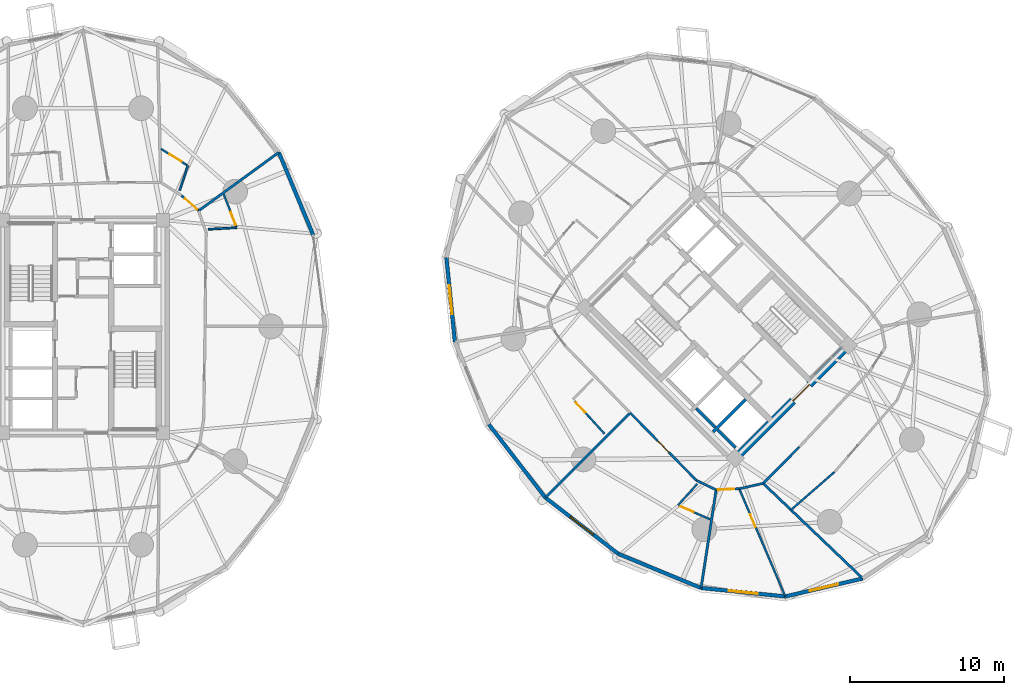
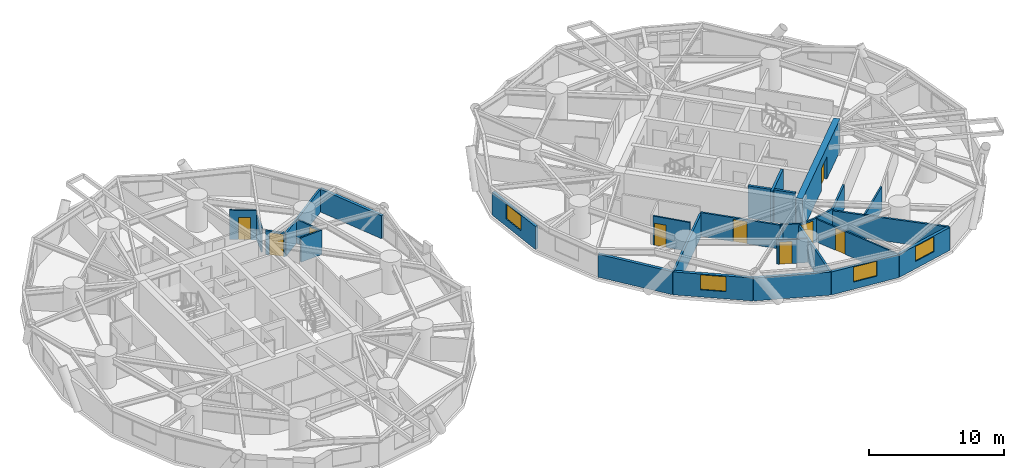
# One storey, part 12 of 18: 30 walls, 9 doors, 4 windows, 13 openings.
"""IFC4 building model written with IfcOpenShell, lengths in metres."""

from ifc_helpers import new_model, si_unit, direction, frame, frame_2d, origin, place, context, subcontext, project, spatial, rectangle, extrude, source, transform, mapped, material, layer, layer_set, type_object, element, fill, save


model = new_model("IFC4")

# Units and contexts
model_context = context("Model", 3, precision=1e-05, world=origin(), true_north=direction((0.0, 1.0)))
body_context = subcontext(model_context, "Body", "Model", "MODEL_VIEW")
ifc_project = project(units=[si_unit("LENGTHUNIT", "METRE"), si_unit("AREAUNIT", "SQUARE_METRE"), si_unit("VOLUMEUNIT", "CUBIC_METRE"), si_unit("PLANEANGLEUNIT", "RADIAN"), si_unit("MASSUNIT", "GRAM", prefix="KILO")], contexts=[model_context])

# Site, building, storey
site_placement = place(None, origin())
site = spatial("IfcSite", under=ifc_project, at=site_placement, CompositionType="ELEMENT")
building_placement = place(site_placement, origin())
building = spatial("IfcBuilding", under=site, at=building_placement, Name="Cununo Teusaquillo Station Towers", CompositionType="ELEMENT")
storey_placement = place(building_placement, frame((0.0, 0.0, 54.010009765625)))
storey = spatial("IfcBuildingStorey", under=building, at=storey_placement, Name="L16", CompositionType="ELEMENT", Elevation=54.010009765625)

# Walls
ifc_material_1 = material(Name="Concrete C50/60", Category="concrete")
ifc_layer_1 = layer(ifc_material_1, 0.199951171875)
ifc_layer_set_1 = layer_set([ifc_layer_1], Name="Concrete C50/60")
wall_type_1 = type_object("IfcWallType", Name="WL-CORE-200", PredefinedType="SHEAR", material=ifc_layer_set_1)
wall_1_placement = place(storey_placement, frame((57.2841796875, 17.6728515625, 0.0), z_axis=(0.0, 0.0, 1.0), x_axis=(0.707147878904, 0.70706568108, 0.0)))
element("IfcWall", 1, at=wall_1_placement, inside=storey, type_object=wall_type_1, Name="L16 Tower B High-Rise Lift Hoistway Divider Shear Wall", PredefinedType="SHEAR", context=body_context, shape_type="SweptSolid", body=[
    extrude(rectangle(XDim=2.97021484375, YDim=0.199951171875, at=frame_2d((1.485107421875, 0.0))), origin(), (0.0, 0.0, 1.0), 2.909912109375),
])
wall_2_placement = place(storey_placement, frame((57.41162109375, 17.969970703125, 0.0), z_axis=(0.0, 0.0, 1.0), x_axis=(-0.707106781187, 0.707106781187, 0.0)))
element("IfcWall", 2, at=wall_2_placement, inside=storey, type_object=wall_type_1, Name="L16 Tower B High-Rise Lift 2 Shaft Rear Shear Wall", PredefinedType="SHEAR", context=body_context, shape_type="SweptSolid", body=[
    extrude(rectangle(XDim=1.73486328125, YDim=0.199951171875, at=frame_2d((0.867431640625, 0.0))), origin(), (0.0, 0.0, 1.0), 2.909912109375),
])
wall_3_placement = place(storey_placement, frame((58.7373046875, 16.64404296875, 0.0), z_axis=(0.0, 0.0, 1.0), x_axis=(-0.707032117043, 0.707181437447, 0.0)))
element("IfcWall", 3, at=wall_3_placement, inside=storey, type_object=wall_type_1, Name="L16 Tower B High-Rise Lift 1 Shaft Rear Shear Wall", PredefinedType="SHEAR", context=body_context, shape_type="SweptSolid", body=[
    extrude(rectangle(XDim=1.635009765625, YDim=0.199951171875, at=frame_2d((0.8173828125, 0.0))), origin(), (0.0, 0.0, 1.0), 2.909912109375),
])

# Wall, opening, door
ifc_material_2 = material(Name="Concrete C60/75", Category="concrete")
ifc_layer_2 = layer(ifc_material_2, 0.5)
ifc_layer_set_2 = layer_set([ifc_layer_2], Name="Concrete C60/75")
wall_type_2 = type_object("IfcWallType", Name="WL-CORE-500", PredefinedType="SHEAR", material=ifc_layer_set_2)
wall_4_placement = place(storey_placement, frame((58.595947265625, 15.837890625, 0.0), z_axis=(0.0, 0.0, 1.0), x_axis=(0.707106781187, 0.707106781187, 0.0)))
wall_4 = element("IfcWall", 4, at=wall_4_placement, inside=storey, type_object=wall_type_2, Name="L16 Tower B Core Shear Wall S", PredefinedType="SHEAR", context=body_context, shape_type="SweptSolid", body=[
    extrude(rectangle(XDim=10.7001953125, YDim=0.5, at=frame_2d((5.35009765625, 0.0))), origin(), (0.0, 0.0, 1.0), 2.909912109375),
])
shared_shape_1 = source(origin(), body_context, "Body", "SweptSolid", [
    extrude(rectangle(XDim=1.5, YDim=2.02001953125, at=frame_2d((0.75, 1.010009765625))), frame((0.0, 0.260009765625, 0.0), z_axis=(0.0, -1.0, 0.0), x_axis=(1.0, 0.0, 0.0)), (0.0, 0.0, 1.0), 0.52001953125),
])
opening_1_placement = place(wall_4_placement, frame((5.449951171875, 0.0, 0.0)))
opening_1 = element("IfcOpeningElement", 5, at=opening_1_placement, cuts=wall_4, Name="Opening D-LB1", PredefinedType="OPENING", context=body_context, shape_type="MappedRepresentation", body=[
    mapped(shared_shape_1, transform((0.0, 0.0, 0.0), x_axis=(1.0, 0.0, 0.0), y_axis=(0.0, 1.0, 0.0), z_axis=(0.0, 0.0, 1.0), scale=1.0)),
])
ifc_material_3 = material(Name="Galvanised fire-rated hollow steel door assembly", Category="steel")
door_type_1 = type_object("IfcDoorType", Name="DR-LOBBY-1500", OperationType="DOUBLE_DOOR_SINGLE_SWING", PredefinedType="DOOR", material=ifc_material_3)
shared_shape_2 = source(origin(), body_context, "Body", "SweptSolid", [
    extrude(rectangle(XDim=1.5, YDim=2.02001953125, at=frame_2d((0.75, 1.010009765625))), frame((0.0, 0.02490234375, 0.0), z_axis=(0.0, -1.0, 0.0), x_axis=(1.0, 0.0, 0.0)), (0.0, 0.0, 1.0), 0.050048828125),
])
door_1_placement = place(opening_1_placement, origin())
door_1 = element("IfcDoor", 6, at=door_1_placement, inside=storey, type_object=door_type_1, Name="L16 Tower B South Core Lift Lobby Door", OperationType="DOUBLE_DOOR_SINGLE_SWING", OverallHeight=2.02001953125, OverallWidth=1.5, PredefinedType="DOOR", context=body_context, shape_type="MappedRepresentation", body=[
    mapped(shared_shape_2, transform((0.0, 0.0, 0.0), x_axis=(1.0, 0.0, 0.0), y_axis=(0.0, 1.0, 0.0), z_axis=(0.0, 0.0, 1.0), scale=1.0)),
])
fill(opening_1, door_1)

# Wall
ifc_material_4 = material(Name="Precast concrete C40/50", Category="concrete")
ifc_layer_3 = layer(ifc_material_4, 0.239990234375)
ifc_layer_set_3 = layer_set([ifc_layer_3], Name="Precast concrete C40/50")
wall_type_3 = type_object("IfcWallType", Name="WL-EXT-240", PredefinedType="SOLIDWALL", material=ifc_layer_set_3)
wall_5_placement = place(storey_placement, frame((29.171630859375, 35.767822265625, 0.0), z_axis=(0.0, 0.0, 1.0), x_axis=(0.384348836956, -0.923187939442, 0.0)))
element("IfcWall", 7, at=wall_5_placement, inside=storey, type_object=wall_type_3, Name="L16 Tower A Exterior Facade Wall C01", PredefinedType="SOLIDWALL", context=body_context, shape_type="SweptSolid", body=[
    extrude(rectangle(XDim=5.78857421875, YDim=0.239990234375, at=frame_2d((2.894287109375, 0.0))), origin(), (0.0, 0.0, 1.0), 2.072998046875),
])

# Wall, opening, window
wall_6_placement = place(storey_placement, frame((40.572265625, 23.50732421875, 0.0), z_axis=(0.0, 0.0, 1.0), x_axis=(-0.100165739718, 0.994970765694, 0.0)))
wall_6 = element("IfcWall", 8, at=wall_6_placement, inside=storey, type_object=wall_type_3, Name="L16 Tower B Exterior Facade Wall C07", PredefinedType="SOLIDWALL", context=body_context, shape_type="SweptSolid", body=[
    extrude(rectangle(XDim=5.476806640625, YDim=0.239990234375, at=frame_2d((2.73828125, 0.0))), origin(), (0.0, 0.0, 1.0), 2.072998046875),
])
shared_shape_3 = source(origin(), body_context, "Body", "SweptSolid", [
    extrude(rectangle(XDim=1.89990234375, YDim=1.35009765625, at=frame_2d((0.949951171875, 0.675048828125))), frame((0.0, 0.1298828125, 0.0), z_axis=(0.0, -1.0, 0.0), x_axis=(1.0, 0.0, 0.0)), (0.0, 0.0, 1.0), 0.260009765625),
])
opening_2_placement = place(wall_6_placement, frame((1.7880859375, 0.0, 0.64990234375)))
opening_2 = element("IfcOpeningElement", 9, at=opening_2_placement, cuts=wall_6, Name="Opening WN-02", PredefinedType="OPENING", context=body_context, shape_type="MappedRepresentation", body=[
    mapped(shared_shape_3, transform((0.0, 0.0, 0.0), x_axis=(1.0, 0.0, 0.0), y_axis=(0.0, 1.0, 0.0), z_axis=(0.0, 0.0, 1.0), scale=1.0)),
])
ifc_material_5 = material(Name="Operable acoustic tinted low-E double glazing", Category="glass")
window_type = type_object("IfcWindowType", Name="WIN-OPER-1900", PartitioningType="DOUBLE_PANEL_VERTICAL", PredefinedType="WINDOW", material=ifc_material_5)
shared_shape_4 = source(origin(), body_context, "Body", "SweptSolid", [
    extrude(rectangle(XDim=1.89990234375, YDim=1.35009765625, at=frame_2d((0.949951171875, 0.675048828125))), frame((0.0, 0.030029296875, 0.0), z_axis=(0.0, -1.0, 0.0), x_axis=(1.0, 0.0, 0.0)), (0.0, 0.0, 1.0), 0.06005859375),
])
window_1_placement = place(opening_2_placement, origin())
window_1 = element("IfcWindow", 10, at=window_1_placement, inside=storey, type_object=window_type, Name="L16 Tower B Facade Window C07", OverallHeight=1.35009765625, OverallWidth=1.89990234375, PartitioningType="DOUBLE_PANEL_VERTICAL", PredefinedType="WINDOW", context=body_context, shape_type="MappedRepresentation", body=[
    mapped(shared_shape_4, transform((0.0, 0.0, 0.0), x_axis=(1.0, 0.0, 0.0), y_axis=(0.0, 1.0, 0.0), z_axis=(0.0, 0.0, 1.0), scale=1.0)),
])
fill(opening_2, window_1)

# Wall
wall_7_placement = place(storey_placement, frame((46.424560546875, 13.424560546875, 0.0), z_axis=(0.0, 0.0, 1.0), x_axis=(-0.610502519057, 0.792014314407, 0.0)))
element("IfcWall", 11, at=wall_7_placement, inside=storey, type_object=wall_type_3, Name="L16 Tower B Exterior Facade Wall C09", PredefinedType="SOLIDWALL", context=body_context, shape_type="SweptSolid", body=[
    extrude(rectangle(XDim=5.973388671875, YDim=0.239990234375, at=frame_2d((2.98681640625, 0.0))), origin(), (0.0, 0.0, 1.0), 2.072998046875),
])

# Wall, opening, window
wall_8_placement = place(storey_placement, frame((51.155517578125, 9.77783203125, 0.0), z_axis=(0.0, 0.0, 1.0), x_axis=(-0.792014314407, 0.610502519057, 0.0)))
wall_8 = element("IfcWall", 12, at=wall_8_placement, inside=storey, type_object=wall_type_3, Name="L16 Tower B Exterior Facade Wall C10", PredefinedType="SOLIDWALL", context=body_context, shape_type="SweptSolid", body=[
    extrude(rectangle(XDim=5.973388671875, YDim=0.239990234375, at=frame_2d((2.98681640625, 0.0))), origin(), (0.0, 0.0, 1.0), 2.072998046875),
])
opening_3_placement = place(wall_8_placement, frame((2.037109375, 0.0, 0.64990234375)))
opening_3 = element("IfcOpeningElement", 13, at=opening_3_placement, cuts=wall_8, Name="Opening WN-02", PredefinedType="OPENING", context=body_context, shape_type="MappedRepresentation", body=[
    mapped(shared_shape_3, transform((0.0, 0.0, 0.0), x_axis=(1.0, 0.0, 0.0), y_axis=(0.0, 1.0, 0.0), z_axis=(0.0, 0.0, 1.0), scale=1.0)),
])
window_2_placement = place(opening_3_placement, origin())
window_2 = element("IfcWindow", 14, at=window_2_placement, inside=storey, type_object=window_type, Name="L16 Tower B Facade Window C10", OverallHeight=1.35009765625, OverallWidth=1.89990234375, PartitioningType="DOUBLE_PANEL_VERTICAL", PredefinedType="WINDOW", context=body_context, shape_type="MappedRepresentation", body=[
    mapped(shared_shape_4, transform((0.0, 0.0, 0.0), x_axis=(1.0, 0.0, 0.0), y_axis=(0.0, 1.0, 0.0), z_axis=(0.0, 0.0, 1.0), scale=1.0)),
])
fill(opening_3, window_2)

# Wall
wall_9_placement = place(storey_placement, frame((56.50732421875, 7.572265625, 0.0), z_axis=(0.0, 0.0, 1.0), x_axis=(-0.924563629567, 0.381027682565, 0.0)))
element("IfcWall", 15, at=wall_9_placement, inside=storey, type_object=wall_type_3, Name="L16 Tower B Exterior Facade Wall C11", PredefinedType="SOLIDWALL", context=body_context, shape_type="SweptSolid", body=[
    extrude(rectangle(XDim=5.78857421875, YDim=0.239990234375, at=frame_2d((2.894287109375, 0.0))), origin(), (0.0, 0.0, 1.0), 2.072998046875),
])

# Wall, opening, window
wall_10_placement = place(storey_placement, frame((61.95654296875, 7.023681640625, 0.0), z_axis=(0.0, 0.0, 1.0), x_axis=(-0.994970765694, 0.100165739718, 0.0)))
wall_10 = element("IfcWall", 16, at=wall_10_placement, inside=storey, type_object=wall_type_3, Name="L16 Tower B Exterior Facade Wall C12", PredefinedType="SOLIDWALL", context=body_context, shape_type="SweptSolid", body=[
    extrude(rectangle(XDim=5.476806640625, YDim=0.239990234375, at=frame_2d((2.73828125, 0.0))), origin(), (0.0, 0.0, 1.0), 2.072998046875),
])
opening_4_placement = place(wall_10_placement, frame((1.7880859375, 0.0, 0.64990234375)))
opening_4 = element("IfcOpeningElement", 17, at=opening_4_placement, cuts=wall_10, Name="Opening WN-02", PredefinedType="OPENING", context=body_context, shape_type="MappedRepresentation", body=[
    mapped(shared_shape_3, transform((0.0, 0.0, 0.0), x_axis=(1.0, 0.0, 0.0), y_axis=(0.0, 1.0, 0.0), z_axis=(0.0, 0.0, 1.0), scale=1.0)),
])
window_3_placement = place(opening_4_placement, origin())
window_3 = element("IfcWindow", 18, at=window_3_placement, inside=storey, type_object=window_type, Name="L16 Tower B Facade Window C12", OverallHeight=1.35009765625, OverallWidth=1.89990234375, PartitioningType="DOUBLE_PANEL_VERTICAL", PredefinedType="WINDOW", context=body_context, shape_type="MappedRepresentation", body=[
    mapped(shared_shape_4, transform((0.0, 0.0, 0.0), x_axis=(1.0, 0.0, 0.0), y_axis=(0.0, 1.0, 0.0), z_axis=(0.0, 0.0, 1.0), scale=1.0)),
])
fill(opening_4, window_3)

wall_11_placement = place(storey_placement, frame((66.969482421875, 8.185791015625, 0.0), z_axis=(0.0, 0.0, 1.0), x_axis=(-0.974166016949, -0.225833060959, 0.0)))
wall_11 = element("IfcWall", 19, at=wall_11_placement, inside=storey, type_object=wall_type_3, Name="L16 Tower B Exterior Facade Wall C13", PredefinedType="SOLIDWALL", context=body_context, shape_type="SweptSolid", body=[
    extrude(rectangle(XDim=5.14599609375, YDim=0.239990234375, at=frame_2d((2.572998046875, 0.0))), origin(), (0.0, 0.0, 1.0), 2.072998046875),
])
opening_5_placement = place(wall_11_placement, frame((1.623046875, 0.0, 0.64990234375)))
opening_5 = element("IfcOpeningElement", 20, at=opening_5_placement, cuts=wall_11, Name="Opening WN-02", PredefinedType="OPENING", context=body_context, shape_type="MappedRepresentation", body=[
    mapped(shared_shape_3, transform((0.0, 0.0, 0.0), x_axis=(1.0, 0.0, 0.0), y_axis=(0.0, 1.0, 0.0), z_axis=(0.0, 0.0, 1.0), scale=1.0)),
])
window_4_placement = place(opening_5_placement, origin())
window_4 = element("IfcWindow", 21, at=window_4_placement, inside=storey, type_object=window_type, Name="L16 Tower B Facade Window C13", OverallHeight=1.35009765625, OverallWidth=1.89990234375, PartitioningType="DOUBLE_PANEL_VERTICAL", PredefinedType="WINDOW", context=body_context, shape_type="MappedRepresentation", body=[
    mapped(shared_shape_4, transform((0.0, 0.0, 0.0), x_axis=(1.0, 0.0, 0.0), y_axis=(0.0, 1.0, 0.0), z_axis=(0.0, 0.0, 1.0), scale=1.0)),
])
fill(opening_5, window_4)

# Wall
ifc_material_6 = material(Name="Fire-rated gypsum plasterboard partition assembly", Category="gypsum")
ifc_layer_4 = layer(ifc_material_6, 0.125)
ifc_layer_set_4 = layer_set([ifc_layer_4], Name="Fire-rated gypsum plasterboard partition assembly")
wall_type_4 = type_object("IfcWallType", Name="WL-PART-125", PredefinedType="PARTITIONING", material=ifc_layer_set_4)
wall_12_placement = place(storey_placement, frame((24.6005859375, 30.7900390625, 0.0), z_axis=(0.0, 0.0, 1.0), x_axis=(0.998323904123, 0.057873849514, 0.0)))
element("IfcWall", 22, at=wall_12_placement, inside=storey, type_object=wall_type_4, Name="L16 Tower A S01 En-suite Side Wall", PredefinedType="PARTITIONING", context=body_context, shape_type="SweptSolid", body=[
    extrude(rectangle(XDim=1.856201171875, YDim=0.125, at=frame_2d((0.92822265625, 0.0))), origin(), (0.0, 0.0, 1.0), 2.205078125),
])

# Wall, opening, door
wall_13_placement = place(storey_placement, frame((26.427978515625, 30.962890625, 0.0), z_axis=(0.0, 0.0, 1.0), x_axis=(-0.364149471566, 0.931340519014, 0.0)))
wall_13 = element("IfcWall", 23, at=wall_13_placement, inside=storey, type_object=wall_type_4, Name="L16 Tower A S01 En-suite Back Wall", PredefinedType="PARTITIONING", context=body_context, shape_type="SweptSolid", body=[
    extrude(rectangle(XDim=2.247314453125, YDim=0.125, at=frame_2d((1.12353515625, 0.0))), origin(), (0.0, 0.0, 1.0), 2.158935546875),
])
shared_shape_5 = source(origin(), body_context, "Body", "SweptSolid", [
    extrude(rectangle(XDim=0.89990234375, YDim=2.0048828125, at=frame_2d((0.449951171875, 1.00244140625))), frame((0.0, 0.072509765625, 0.0), z_axis=(0.0, -1.0, 0.0), x_axis=(1.0, 0.0, 0.0)), (0.0, 0.0, 1.0), 0.14501953125),
])
opening_6_placement = place(wall_13_placement, frame((0.1201171875, 0.0, 0.0)))
opening_6 = element("IfcOpeningElement", 24, at=opening_6_placement, cuts=wall_13, Name="Opening D-IN1", PredefinedType="OPENING", context=body_context, shape_type="MappedRepresentation", body=[
    mapped(shared_shape_5, transform((0.0, 0.0, 0.0), x_axis=(1.0, 0.0, 0.0), y_axis=(0.0, 1.0, 0.0), z_axis=(0.0, 0.0, 1.0), scale=1.0)),
])
ifc_material_7 = material(Name="Acoustic solid-core hardwood leaf assembly", Category="wood")
door_type_2 = type_object("IfcDoorType", Name="DR-INT-900", OperationType="NOTDEFINED", PredefinedType="DOOR", material=ifc_material_7)
shared_shape_6 = source(origin(), body_context, "Body", "SweptSolid", [
    extrude(rectangle(XDim=0.89990234375, YDim=2.0048828125, at=frame_2d((0.449951171875, 1.00244140625))), frame((0.0, 0.02490234375, 0.0), z_axis=(0.0, -1.0, 0.0), x_axis=(1.0, 0.0, 0.0)), (0.0, 0.0, 1.0), 0.050048828125),
])
door_2_placement = place(opening_6_placement, origin())
door_2 = element("IfcDoor", 25, at=door_2_placement, inside=storey, type_object=door_type_2, Name="L16 Tower A S01 En-suite Bathroom Door", OperationType="SINGLE_SWING_LEFT", OverallHeight=2.0048828125, OverallWidth=0.89990234375, PredefinedType="DOOR", context=body_context, shape_type="MappedRepresentation", body=[
    mapped(shared_shape_6, transform((0.0, 0.0, 0.0), x_axis=(1.0, 0.0, 0.0), y_axis=(0.0, 1.0, 0.0), z_axis=(0.0, 0.0, 1.0), scale=1.0)),
])
fill(opening_6, door_2)

# Wall
wall_14_placement = place(storey_placement, frame((22.76025390625, 33.312744140625, 0.0), z_axis=(0.0, 0.0, 1.0), x_axis=(0.312649886595, 0.949868437423, 0.0)))
element("IfcWall", 26, at=wall_14_placement, inside=storey, type_object=wall_type_4, Name="L16 Tower A S02 En-suite Side Wall", PredefinedType="PARTITIONING", context=body_context, shape_type="SweptSolid", body=[
    extrude(rectangle(XDim=1.6796875, YDim=0.125, at=frame_2d((0.83984375, 0.0))), origin(), (0.0, 0.0, 1.0), 2.205078125),
])

# Wall, opening, door
wall_15_placement = place(storey_placement, frame((23.23291015625, 34.941162109375, 0.0), z_axis=(0.0, 0.0, 1.0), x_axis=(-0.84760373009, 0.53062973601, 0.0)))
wall_15 = element("IfcWall", 27, at=wall_15_placement, inside=storey, type_object=wall_type_4, Name="L16 Tower A S02 En-suite Back Wall", PredefinedType="PARTITIONING", context=body_context, shape_type="SweptSolid", body=[
    extrude(rectangle(XDim=1.982666015625, YDim=0.125, at=frame_2d((0.9912109375, 0.0))), origin(), (0.0, 0.0, 1.0), 2.635009765625),
])
opening_7_placement = place(wall_15_placement, frame((0.43603515625, 0.0, 0.0)))
opening_7 = element("IfcOpeningElement", 28, at=opening_7_placement, cuts=wall_15, Name="Opening D-IN1", PredefinedType="OPENING", context=body_context, shape_type="MappedRepresentation", body=[
    mapped(shared_shape_5, transform((0.0, 0.0, 0.0), x_axis=(1.0, 0.0, 0.0), y_axis=(0.0, 1.0, 0.0), z_axis=(0.0, 0.0, 1.0), scale=1.0)),
])
door_3_placement = place(opening_7_placement, origin())
door_3 = element("IfcDoor", 29, at=door_3_placement, inside=storey, type_object=door_type_2, Name="L16 Tower A S02 En-suite Bathroom Door", OperationType="SINGLE_SWING_LEFT", OverallHeight=2.0048828125, OverallWidth=0.89990234375, PredefinedType="DOOR", context=body_context, shape_type="MappedRepresentation", body=[
    mapped(shared_shape_6, transform((0.0, 0.0, 0.0), x_axis=(1.0, 0.0, 0.0), y_axis=(0.0, 1.0, 0.0), z_axis=(0.0, 0.0, 1.0), scale=1.0)),
])
fill(opening_7, door_3)

wall_16_placement = place(storey_placement, frame((48.3203125, 19.6796875, 0.0), z_axis=(0.0, 0.0, 1.0), x_axis=(0.673403410236, -0.739275217414, 0.0)))
wall_16 = element("IfcWall", 30, at=wall_16_placement, inside=storey, type_object=wall_type_4, Name="L16 Tower B S04 En-suite Back Wall", PredefinedType="PARTITIONING", context=body_context, shape_type="SweptSolid", body=[
    extrude(rectangle(XDim=2.8759765625, YDim=0.125, at=frame_2d((1.43798828125, 0.0))), origin(), (0.0, 0.0, 1.0), 2.635009765625),
])
opening_8_placement = place(wall_16_placement, frame((0.1201171875, 0.0, 0.0)))
opening_8 = element("IfcOpeningElement", 31, at=opening_8_placement, cuts=wall_16, Name="Opening D-IN1", PredefinedType="OPENING", context=body_context, shape_type="MappedRepresentation", body=[
    mapped(shared_shape_5, transform((0.0, 0.0, 0.0), x_axis=(1.0, 0.0, 0.0), y_axis=(0.0, 1.0, 0.0), z_axis=(0.0, 0.0, 1.0), scale=1.0)),
])
door_4_placement = place(opening_8_placement, origin())
door_4 = element("IfcDoor", 32, at=door_4_placement, inside=storey, type_object=door_type_2, Name="L16 Tower B S04 En-suite Bathroom Door", OperationType="SINGLE_SWING_RIGHT", OverallHeight=2.0048828125, OverallWidth=0.89990234375, PredefinedType="DOOR", context=body_context, shape_type="MappedRepresentation", body=[
    mapped(shared_shape_6, transform((0.0, 0.0, 0.0), x_axis=(1.0, 0.0, 0.0), y_axis=(0.0, 1.0, 0.0), z_axis=(0.0, 0.0, 1.0), scale=1.0)),
])
fill(opening_8, door_4)

# Wall
wall_17_placement = place(storey_placement, frame((56.249267578125, 14.3017578125, 0.0), z_axis=(0.0, 0.0, 1.0), x_axis=(-0.669226451819, -0.743058514645, 0.0)))
element("IfcWall", 33, at=wall_17_placement, inside=storey, type_object=wall_type_4, Name="L16 Tower B S05 En-suite Side Wall", PredefinedType="PARTITIONING", context=body_context, shape_type="SweptSolid", body=[
    extrude(rectangle(XDim=1.85498046875, YDim=0.125, at=frame_2d((0.927490234375, 0.0))), origin(), (0.0, 0.0, 1.0), 2.205078125),
])

# Wall, opening, door
wall_18_placement = place(storey_placement, frame((55.071044921875, 12.895751953125, 0.0), z_axis=(0.0, 0.0, 1.0), x_axis=(0.916939896123, -0.399025346184, 0.0)))
wall_18 = element("IfcWall", 34, at=wall_18_placement, inside=storey, type_object=wall_type_4, Name="L16 Tower B S05 En-suite Back Wall", PredefinedType="PARTITIONING", context=body_context, shape_type="SweptSolid", body=[
    extrude(rectangle(XDim=2.20751953125, YDim=0.125, at=frame_2d((1.103759765625, 0.0))), origin(), (0.0, 0.0, 1.0), 2.158935546875),
])
opening_9_placement = place(wall_18_placement, frame((0.1201171875, 0.0, 0.0)))
opening_9 = element("IfcOpeningElement", 35, at=opening_9_placement, cuts=wall_18, Name="Opening D-IN1", PredefinedType="OPENING", context=body_context, shape_type="MappedRepresentation", body=[
    mapped(shared_shape_5, transform((0.0, 0.0, 0.0), x_axis=(1.0, 0.0, 0.0), y_axis=(0.0, 1.0, 0.0), z_axis=(0.0, 0.0, 1.0), scale=1.0)),
])
door_5_placement = place(opening_9_placement, origin())
door_5 = element("IfcDoor", 36, at=door_5_placement, inside=storey, type_object=door_type_2, Name="L16 Tower B S05 En-suite Bathroom Door", OperationType="SINGLE_SWING_RIGHT", OverallHeight=2.0048828125, OverallWidth=0.89990234375, PredefinedType="DOOR", context=body_context, shape_type="MappedRepresentation", body=[
    mapped(shared_shape_6, transform((0.0, 0.0, 0.0), x_axis=(1.0, 0.0, 0.0), y_axis=(0.0, 1.0, 0.0), z_axis=(0.0, 0.0, 1.0), scale=1.0)),
])
fill(opening_9, door_5)

wall_19_placement = place(storey_placement, frame((58.975341796875, 13.99560546875, 0.0), z_axis=(0.0, 0.0, 1.0), x_axis=(0.393755664375, -0.919215141723, 0.0)))
wall_19 = element("IfcWall", 37, at=wall_19_placement, inside=storey, type_object=wall_type_4, Name="L16 Tower B Hotel Sommelier & Wine Salon Suite Subdividing Wall", PredefinedType="PARTITIONING", context=body_context, shape_type="SweptSolid", body=[
    extrude(rectangle(XDim=7.563232421875, YDim=0.125, at=frame_2d((3.78173828125, 0.0))), origin(), (0.0, 0.0, 1.0), 2.072998046875),
])
opening_10_placement = place(wall_19_placement, frame((1.800048828125, 0.0, 0.0)))
opening_10 = element("IfcOpeningElement", 38, at=opening_10_placement, cuts=wall_19, Name="Opening D-IN1", PredefinedType="OPENING", context=body_context, shape_type="MappedRepresentation", body=[
    mapped(shared_shape_5, transform((0.0, 0.0, 0.0), x_axis=(1.0, 0.0, 0.0), y_axis=(0.0, 1.0, 0.0), z_axis=(0.0, 0.0, 1.0), scale=1.0)),
])
door_6_placement = place(opening_10_placement, origin())
door_6 = element("IfcDoor", 39, at=door_6_placement, inside=storey, type_object=door_type_2, Name="L16 Tower B Hotel Sommelier & Wine Salon Suite Connecting Door", OperationType="SINGLE_SWING_RIGHT", OverallHeight=2.0048828125, OverallWidth=0.89990234375, PredefinedType="DOOR", context=body_context, shape_type="MappedRepresentation", body=[
    mapped(shared_shape_6, transform((0.0, 0.0, 0.0), x_axis=(1.0, 0.0, 0.0), y_axis=(0.0, 1.0, 0.0), z_axis=(0.0, 0.0, 1.0), scale=1.0)),
])
fill(opening_10, door_6)

# Wall
wall_20_placement = place(storey_placement, frame((62.328857421875, 12.625, 0.0), z_axis=(0.0, 0.0, 1.0), x_axis=(0.753237140985, 0.657749047465, 0.0)))
element("IfcWall", 40, at=wall_20_placement, inside=storey, type_object=wall_type_4, Name="L16 Tower B Hotel Housekeeping & Linen Pantry Concentric Partition Wall C14", PredefinedType="PARTITIONING", context=body_context, shape_type="SweptSolid", body=[
    extrude(rectangle(XDim=3.75341796875, YDim=0.125, at=frame_2d((1.876708984375, 0.0))), origin(), (0.0, 0.0, 1.0), 2.158935546875),
])

# Wall, opening, door
ifc_material_8 = material(Name="Fire-rated gypsum plasterboard partition assembly", Category="gypsum")
ifc_layer_5 = layer(ifc_material_8, 0.14990234375)
ifc_layer_set_5 = layer_set([ifc_layer_5], Name="Fire-rated gypsum plasterboard partition assembly")
wall_type_5 = type_object("IfcWallType", Name="WL-PART-150", PredefinedType="PARTITIONING", material=ifc_layer_set_5)
wall_21_placement = place(storey_placement, frame((23.979736328125, 31.986572265625, 0.0), z_axis=(0.0, 0.0, 1.0), x_axis=(-0.744317922268, 0.667825449193, 0.0)))
wall_21 = element("IfcWall", 41, at=wall_21_placement, inside=storey, type_object=wall_type_5, Name="L16 Tower A Corridor Ring Wall C02", PredefinedType="PARTITIONING", context=body_context, shape_type="SweptSolid", body=[
    extrude(rectangle(XDim=1.48095703125, YDim=0.14990234375, at=frame_2d((0.740478515625, 0.0))), origin(), (0.0, 0.0, 1.0), 2.158935546875),
])
shared_shape_7 = source(origin(), body_context, "Body", "SweptSolid", [
    extrude(rectangle(XDim=1.050048828125, YDim=2.014892578125, at=frame_2d((0.52490234375, 1.00732421875))), frame((0.0, 0.0849609375, 0.0), z_axis=(0.0, -1.0, 0.0), x_axis=(1.0, 0.0, 0.0)), (0.0, 0.0, 1.0), 0.169921875),
])
opening_11_placement = place(wall_21_placement, frame((0.1201171875, 0.0, 0.0)))
opening_11 = element("IfcOpeningElement", 42, at=opening_11_placement, cuts=wall_21, Name="Opening D-SU1", PredefinedType="OPENING", context=body_context, shape_type="MappedRepresentation", body=[
    mapped(shared_shape_7, transform((0.0, 0.0, 0.0), x_axis=(1.0, 0.0, 0.0), y_axis=(0.0, 1.0, 0.0), z_axis=(0.0, 0.0, 1.0), scale=1.0)),
])
ifc_material_9 = material(Name="Acoustic solid-core hardwood leaf assembly", Category="wood")
door_type_3 = type_object("IfcDoorType", Name="DR-SUITE-1050", OperationType="NOTDEFINED", PredefinedType="DOOR", material=ifc_material_9)
shared_shape_8 = source(origin(), body_context, "Body", "SweptSolid", [
    extrude(rectangle(XDim=1.050048828125, YDim=2.014892578125, at=frame_2d((0.52490234375, 1.00732421875))), frame((0.0, 0.02490234375, 0.0), z_axis=(0.0, -1.0, 0.0), x_axis=(1.0, 0.0, 0.0)), (0.0, 0.0, 1.0), 0.050048828125),
])
door_7_placement = place(opening_11_placement, origin())
door_7 = element("IfcDoor", 43, at=door_7_placement, inside=storey, type_object=door_type_3, Name="L16 Tower A Executive Club Hotel Suite Entrance Door", OperationType="SINGLE_SWING_RIGHT", OverallHeight=2.014892578125, OverallWidth=1.050048828125, PredefinedType="DOOR", context=body_context, shape_type="MappedRepresentation", body=[
    mapped(shared_shape_8, transform((0.0, 0.0, 0.0), x_axis=(1.0, 0.0, 0.0), y_axis=(0.0, 1.0, 0.0), z_axis=(0.0, 0.0, 1.0), scale=1.0)),
])
fill(opening_11, door_7)

wall_22_placement = place(storey_placement, frame((51.913818359375, 18.913818359375, 0.0), z_axis=(0.0, 0.0, 1.0), x_axis=(0.6999614951, -0.71418058317, 0.0)))
wall_22 = element("IfcWall", 44, at=wall_22_placement, inside=storey, type_object=wall_type_5, Name="L16 Tower B Corridor Ring Wall C10", PredefinedType="PARTITIONING", context=body_context, shape_type="SweptSolid", body=[
    extrude(rectangle(XDim=6.129638671875, YDim=0.14990234375, at=frame_2d((3.06494140625, 0.0))), origin(), (0.0, 0.0, 1.0), 2.158935546875),
])
opening_12_placement = place(wall_22_placement, frame((2.539794921875, 0.0, 0.0)))
opening_12 = element("IfcOpeningElement", 45, at=opening_12_placement, cuts=wall_22, Name="Opening D-SU1", PredefinedType="OPENING", context=body_context, shape_type="MappedRepresentation", body=[
    mapped(shared_shape_7, transform((0.0, 0.0, 0.0), x_axis=(1.0, 0.0, 0.0), y_axis=(0.0, 1.0, 0.0), z_axis=(0.0, 0.0, 1.0), scale=1.0)),
])
door_8_placement = place(opening_12_placement, origin())
door_8 = element("IfcDoor", 46, at=door_8_placement, inside=storey, type_object=door_type_3, Name="L16 Tower B Regent Corner Hotel Suite Entrance Door", OperationType="SINGLE_SWING_LEFT", OverallHeight=2.014892578125, OverallWidth=1.050048828125, PredefinedType="DOOR", context=body_context, shape_type="MappedRepresentation", body=[
    mapped(shared_shape_8, transform((0.0, 0.0, 0.0), x_axis=(1.0, 0.0, 0.0), y_axis=(0.0, 1.0, 0.0), z_axis=(0.0, 0.0, 1.0), scale=1.0)),
])
fill(opening_12, door_8)

# Wall
wall_23_placement = place(storey_placement, frame((56.204345703125, 14.5361328125, 0.0), z_axis=(0.0, 0.0, 1.0), x_axis=(0.902244982981, -0.431223828986, 0.0)))
element("IfcWall", 47, at=wall_23_placement, inside=storey, type_object=wall_type_5, Name="L16 Tower B Corridor Ring Wall C11", PredefinedType="PARTITIONING", context=body_context, shape_type="SweptSolid", body=[
    extrude(rectangle(XDim=1.4169921875, YDim=0.14990234375, at=frame_2d((0.70849609375, 0.0))), origin(), (0.0, 0.0, 1.0), 2.205078125),
])

# Wall, opening, door
wall_24_placement = place(storey_placement, frame((57.48291015625, 13.925048828125, 0.0), z_axis=(0.0, 0.0, 1.0), x_axis=(0.998884345706, 0.047223552414, 0.0)))
wall_24 = element("IfcWall", 48, at=wall_24_placement, inside=storey, type_object=wall_type_5, Name="L16 Tower B Corridor Ring Wall C12", PredefinedType="PARTITIONING", context=body_context, shape_type="SweptSolid", body=[
    extrude(rectangle(XDim=1.494140625, YDim=0.14990234375, at=frame_2d((0.7470703125, 0.0))), origin(), (0.0, 0.0, 1.0), 2.158935546875),
])
opening_13_placement = place(wall_24_placement, frame((0.1201171875, 0.0, 0.0)))
opening_13 = element("IfcOpeningElement", 49, at=opening_13_placement, cuts=wall_24, Name="Opening D-SU1", PredefinedType="OPENING", context=body_context, shape_type="MappedRepresentation", body=[
    mapped(shared_shape_7, transform((0.0, 0.0, 0.0), x_axis=(1.0, 0.0, 0.0), y_axis=(0.0, 1.0, 0.0), z_axis=(0.0, 0.0, 1.0), scale=1.0)),
])
door_9_placement = place(opening_13_placement, origin())
door_9 = element("IfcDoor", 50, at=door_9_placement, inside=storey, type_object=door_type_3, Name="L16 Tower B Hotel Sommelier & Wine Salon Entrance Door", OperationType="SINGLE_SWING_LEFT", OverallHeight=2.014892578125, OverallWidth=1.050048828125, PredefinedType="DOOR", context=body_context, shape_type="MappedRepresentation", body=[
    mapped(shared_shape_8, transform((0.0, 0.0, 0.0), x_axis=(1.0, 0.0, 0.0), y_axis=(0.0, 1.0, 0.0), z_axis=(0.0, 0.0, 1.0), scale=1.0)),
])
fill(opening_13, door_9)

# Walls
wall_25_placement = place(storey_placement, frame((58.975341796875, 13.99560546875, 0.0), z_axis=(0.0, 0.0, 1.0), x_axis=(0.975700857392, 0.219106907431, 0.0)))
element("IfcWall", 51, at=wall_25_placement, inside=storey, type_object=wall_type_5, Name="L16 Tower B Corridor Ring Wall C13", PredefinedType="PARTITIONING", context=body_context, shape_type="SweptSolid", body=[
    extrude(rectangle(XDim=1.591064453125, YDim=0.14990234375, at=frame_2d((0.79541015625, 0.0))), origin(), (0.0, 0.0, 1.0), 2.205078125),
])
wall_26_placement = place(storey_placement, frame((60.52783203125, 14.34423828125, 0.0), z_axis=(0.0, 0.0, 1.0), x_axis=(0.704381645997, 0.709821454158, 0.0)))
element("IfcWall", 52, at=wall_26_placement, inside=storey, type_object=wall_type_5, Name="L16 Tower B Corridor Ring Wall C14", PredefinedType="PARTITIONING", context=body_context, shape_type="SweptSolid", body=[
    extrude(rectangle(XDim=3.321044921875, YDim=0.14990234375, at=frame_2d((1.66064453125, 0.0))), origin(), (0.0, 0.0, 1.0), 2.158935546875),
])
ifc_material_10 = material(Name="Fire-rated gypsum plasterboard partition assembly", Category="gypsum")
ifc_layer_6 = layer(ifc_material_10, 0.159912109375)
ifc_layer_set_6 = layer_set([ifc_layer_6], Name="Fire-rated gypsum plasterboard partition assembly")
wall_type_6 = type_object("IfcWallType", Name="WL-PART-160", PredefinedType="PARTITIONING", material=ifc_layer_set_6)
wall_27_placement = place(storey_placement, frame((23.979736328125, 31.986572265625, 0.0), z_axis=(0.0, 0.0, 1.0), x_axis=(0.80834018144, 0.588715679313, 0.0)))
element("IfcWall", 53, at=wall_27_placement, inside=storey, type_object=wall_type_6, Name="L16 Tower A Radial Suite Partition R02", PredefinedType="PARTITIONING", context=body_context, shape_type="SweptSolid", body=[
    extrude(rectangle(XDim=6.403076171875, YDim=0.159912109375, at=frame_2d((3.20166015625, 0.0))), origin(), (0.0, 0.0, 1.0), 2.072998046875),
])
wall_28_placement = place(storey_placement, frame((51.913818359375, 18.913818359375, 0.0), z_axis=(0.0, 0.0, 1.0), x_axis=(-0.707106781187, -0.707106781187, 0.0)))
element("IfcWall", 54, at=wall_28_placement, inside=storey, type_object=wall_type_6, Name="L16 Tower B Radial Suite Partition R06", PredefinedType="PARTITIONING", context=body_context, shape_type="SweptSolid", body=[
    extrude(rectangle(XDim=7.742919921875, YDim=0.159912109375, at=frame_2d((3.87158203125, 0.0))), origin(), (0.0, 0.0, 1.0), 2.072998046875),
])
wall_29_placement = place(storey_placement, frame((57.48291015625, 13.925048828125, 0.0), z_axis=(0.0, 0.0, 1.0), x_axis=(-0.151762268519, -0.988417024264, 0.0)))
element("IfcWall", 55, at=wall_29_placement, inside=storey, type_object=wall_type_6, Name="L16 Tower B Radial Suite Partition R07", PredefinedType="PARTITIONING", context=body_context, shape_type="SweptSolid", body=[
    extrude(rectangle(XDim=6.407470703125, YDim=0.159912109375, at=frame_2d((3.20361328125, 0.0))), origin(), (0.0, 0.0, 1.0), 2.072998046875),
])
wall_30_placement = place(storey_placement, frame((60.52783203125, 14.34423828125, 0.0), z_axis=(0.0, 0.0, 1.0), x_axis=(0.723320016743, -0.690512963947, 0.0)))
element("IfcWall", 56, at=wall_30_placement, inside=storey, type_object=wall_type_6, Name="L16 Tower B Radial Suite Partition R08", PredefinedType="PARTITIONING", context=body_context, shape_type="SweptSolid", body=[
    extrude(rectangle(XDim=8.892822265625, YDim=0.159912109375, at=frame_2d((4.4462890625, 0.0))), origin(), (0.0, 0.0, 1.0), 2.072998046875),
])

save(model, "model.ifc")
